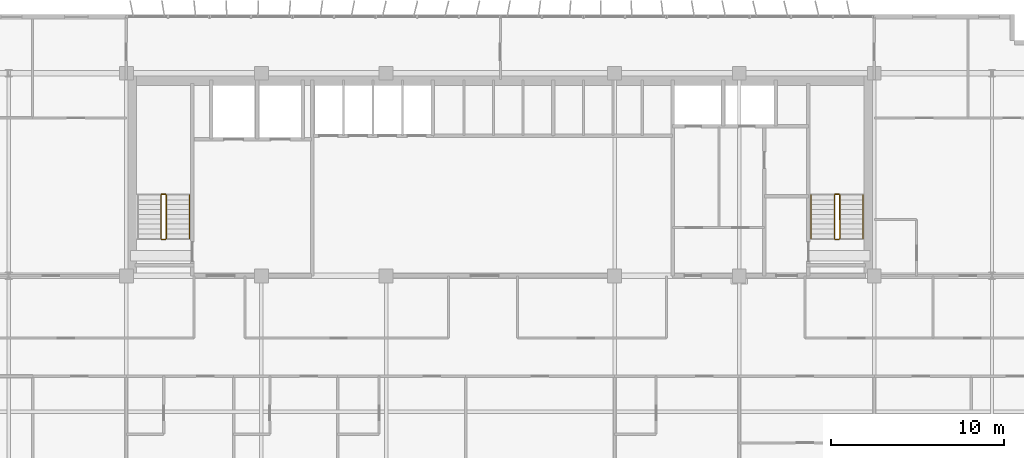
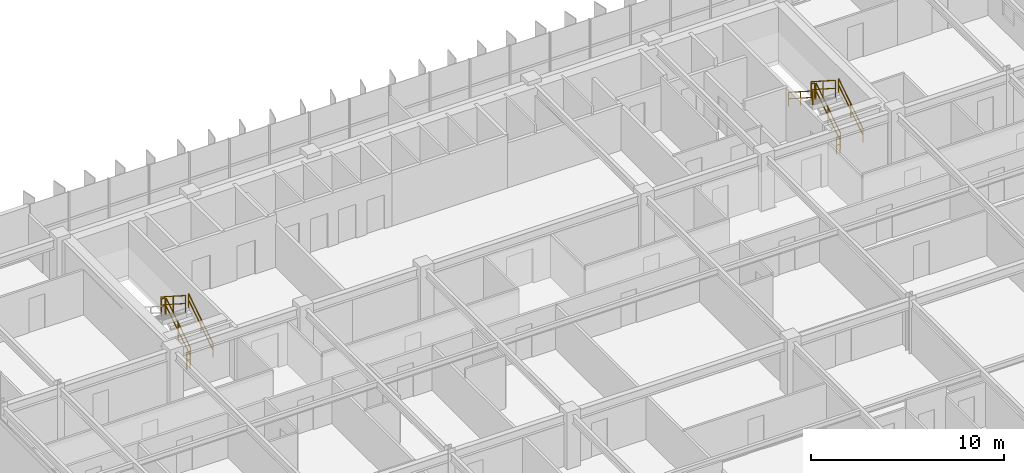
# One storey, part 21 of 22: 11 railings.
"""IFC4 building model written with IfcOpenShell, lengths in metres."""

from ifc_helpers import new_model, si_unit, direction, frame, origin, origin_2d, place, context, subcontext, project, spatial, rectangle, extrude, material, type_object, element, save


model = new_model("IFC4")

# Units and contexts
model_context = context("Model", 3, precision=1e-05, world=origin(), true_north=direction((0.0, 1.0)))
body_context = subcontext(model_context, "Body", "Model", "MODEL_VIEW")
ifc_project = project(units=[si_unit("LENGTHUNIT", "METRE"), si_unit("AREAUNIT", "SQUARE_METRE"), si_unit("VOLUMEUNIT", "CUBIC_METRE"), si_unit("PLANEANGLEUNIT", "RADIAN"), si_unit("MASSUNIT", "GRAM", prefix="KILO")], contexts=[model_context])

# Site, building, storey
site_placement = place(None, origin())
site = spatial("IfcSite", under=ifc_project, at=site_placement, CompositionType="ELEMENT")
building_placement = place(site_placement, origin())
building = spatial("IfcBuilding", under=site, at=building_placement, Name="Trelvane Seafront Commons", CompositionType="ELEMENT")
storey_placement = place(building_placement, frame((0.0, 0.0, 114.10009765625)))
storey = spatial("IfcBuildingStorey", under=building, at=storey_placement, Name="L29", CompositionType="ELEMENT", Elevation=114.10009765625)

# Railings
ifc_material = material(Name="Stainless steel balustrade", Category="steel")
railing_type_1 = type_object("IfcRailingType", Name="ARCH-SRL-GUARD", PredefinedType="GUARDRAIL", material=ifc_material)
railing_1_placement = place(storey_placement, frame((17.89990234375, 35.550048828125, 0.179931640625)))
element("IfcRailing", 1, at=railing_1_placement, inside=storey, type_object=railing_type_1, Name="L29 ST-1 stair guard 1", PredefinedType="GUARDRAIL", context=body_context, shape_type="SweptSolid", body=[
    extrude(rectangle(XDim=0.048095703125, YDim=0.048095703125, at=origin_2d()), frame((0.0, 0.0, 1.076171875), z_axis=(0.0, 0.841199657755, 0.540724639528), x_axis=(-1.0, 0.0, 0.0)), (0.0, 0.0, 1.0), 2.995849609375),
    extrude(rectangle(XDim=0.048095703125, YDim=0.048095703125, at=origin_2d()), frame((0.0, 0.0, 0.572021484375), z_axis=(0.0, 0.841199657755, 0.540724639528), x_axis=(-1.0, 0.0, 0.0)), (0.0, 0.0, 1.0), 2.995849609375),
    extrude(rectangle(XDim=0.0419921875, YDim=0.0419921875, at=origin_2d()), origin(), (0.0, 0.0, 1.0), 1.076171875),
    extrude(rectangle(XDim=0.0419921875, YDim=0.0419921875, at=origin_2d()), frame((0.0, 1.260009765625, 0.81005859375)), (0.0, 0.0, 1.0), 1.076171875),
    extrude(rectangle(XDim=0.0419921875, YDim=0.0419921875, at=origin_2d()), frame((0.0, 2.52001953125, 1.619873046875)), (0.0, 0.0, 1.0), 1.076171875),
])
railing_2_placement = place(storey_placement, frame((17.85009765625, 38.1201171875, 1.7998046875)))
element("IfcRailing", 2, at=railing_2_placement, inside=storey, type_object=railing_type_1, Name="L29 ST-1 stair guard 2", PredefinedType="GUARDRAIL", context=body_context, shape_type="SweptSolid", body=[
    extrude(rectangle(XDim=0.048095703125, YDim=0.048095703125, at=origin_2d()), frame((0.0, 0.0, 1.076171875), z_axis=(-1.0, 0.0, 0.0), x_axis=(0.0, -1.0, 0.0)), (0.0, 0.0, 1.0), 0.2001953125),
    extrude(rectangle(XDim=0.048095703125, YDim=0.048095703125, at=origin_2d()), frame((0.0, 0.0, 0.572021484375), z_axis=(-1.0, 0.0, 0.0), x_axis=(0.0, -1.0, 0.0)), (0.0, 0.0, 1.0), 0.2001953125),
    extrude(rectangle(XDim=0.0419921875, YDim=0.0419921875, at=origin_2d()), origin(), (0.0, 0.0, 1.0), 1.076171875),
    extrude(rectangle(XDim=0.0419921875, YDim=0.0419921875, at=origin_2d()), frame((-0.2001953125, 0.0, 0.0)), (0.0, 0.0, 1.0), 1.076171875),
])
railing_3_placement = place(storey_placement, frame((17.60009765625, 38.070068359375, 1.97998046875)))
element("IfcRailing", 3, at=railing_3_placement, inside=storey, type_object=railing_type_1, Name="L29 ST-1 stair guard 3", PredefinedType="GUARDRAIL", context=body_context, shape_type="SweptSolid", body=[
    extrude(rectangle(XDim=0.048095703125, YDim=0.048095703125, at=origin_2d()), frame((0.0, 0.0, 1.076171875), z_axis=(0.0, -0.841199657755, 0.540724639528), x_axis=(1.0, 0.0, 0.0)), (0.0, 0.0, 1.0), 2.995849609375),
    extrude(rectangle(XDim=0.048095703125, YDim=0.048095703125, at=origin_2d()), frame((0.0, 0.0, 0.572021484375), z_axis=(0.0, -0.841199657755, 0.540724639528), x_axis=(1.0, 0.0, 0.0)), (0.0, 0.0, 1.0), 2.995849609375),
    extrude(rectangle(XDim=0.0419921875, YDim=0.0419921875, at=origin_2d()), origin(), (0.0, 0.0, 1.0), 1.076171875),
    extrude(rectangle(XDim=0.0419921875, YDim=0.0419921875, at=origin_2d()), frame((0.0, -1.260009765625, 0.81005859375)), (0.0, 0.0, 1.0), 1.076171875),
    extrude(rectangle(XDim=0.0419921875, YDim=0.0419921875, at=origin_2d()), frame((0.0, -2.52001953125, 1.619873046875)), (0.0, 0.0, 1.0), 1.076171875),
])
railing_4_placement = place(storey_placement, frame((17.85009765625, 35.5, 0.0)))
element("IfcRailing", 4, at=railing_4_placement, inside=storey, type_object=railing_type_1, Name="L29 ST-1 stair guard 4", PredefinedType="GUARDRAIL", context=body_context, shape_type="SweptSolid", body=[
    extrude(rectangle(XDim=0.048095703125, YDim=0.048095703125, at=origin_2d()), frame((0.0, 0.0, 1.076171875), z_axis=(-1.0, 0.0, 0.0), x_axis=(0.0, -1.0, 0.0)), (0.0, 0.0, 1.0), 0.2001953125),
    extrude(rectangle(XDim=0.048095703125, YDim=0.048095703125, at=origin_2d()), frame((0.0, 0.0, 0.572021484375), z_axis=(-1.0, 0.0, 0.0), x_axis=(0.0, -1.0, 0.0)), (0.0, 0.0, 1.0), 0.2001953125),
    extrude(rectangle(XDim=0.0419921875, YDim=0.0419921875, at=origin_2d()), origin(), (0.0, 0.0, 1.0), 1.076171875),
    extrude(rectangle(XDim=0.0419921875, YDim=0.0419921875, at=origin_2d()), frame((-0.2001953125, 0.0, 0.0)), (0.0, 0.0, 1.0), 1.076171875),
])
railing_5_placement = place(storey_placement, frame((56.800048828125, 35.550048828125, 0.179931640625)))
element("IfcRailing", 5, at=railing_5_placement, inside=storey, type_object=railing_type_1, Name="L29 ST-2 stair guard 1", PredefinedType="GUARDRAIL", context=body_context, shape_type="SweptSolid", body=[
    extrude(rectangle(XDim=0.048095703125, YDim=0.048095703125, at=origin_2d()), frame((0.0, 0.0, 1.076171875), z_axis=(0.0, 0.841199657755, 0.540724639528), x_axis=(-1.0, 0.0, 0.0)), (0.0, 0.0, 1.0), 2.995849609375),
    extrude(rectangle(XDim=0.048095703125, YDim=0.048095703125, at=origin_2d()), frame((0.0, 0.0, 0.572021484375), z_axis=(0.0, 0.841199657755, 0.540724639528), x_axis=(-1.0, 0.0, 0.0)), (0.0, 0.0, 1.0), 2.995849609375),
    extrude(rectangle(XDim=0.0419921875, YDim=0.0419921875, at=origin_2d()), origin(), (0.0, 0.0, 1.0), 1.076171875),
    extrude(rectangle(XDim=0.0419921875, YDim=0.0419921875, at=origin_2d()), frame((0.0, 1.260009765625, 0.81005859375)), (0.0, 0.0, 1.0), 1.076171875),
    extrude(rectangle(XDim=0.0419921875, YDim=0.0419921875, at=origin_2d()), frame((0.0, 2.52001953125, 1.619873046875)), (0.0, 0.0, 1.0), 1.076171875),
])
railing_6_placement = place(storey_placement, frame((56.75, 38.1201171875, 1.7998046875)))
element("IfcRailing", 6, at=railing_6_placement, inside=storey, type_object=railing_type_1, Name="L29 ST-2 stair guard 2", PredefinedType="GUARDRAIL", context=body_context, shape_type="SweptSolid", body=[
    extrude(rectangle(XDim=0.048095703125, YDim=0.048095703125, at=origin_2d()), frame((0.0, 0.0, 1.076171875), z_axis=(-1.0, 0.0, 0.0), x_axis=(0.0, -1.0, 0.0)), (0.0, 0.0, 1.0), 0.199951171875),
    extrude(rectangle(XDim=0.048095703125, YDim=0.048095703125, at=origin_2d()), frame((0.0, 0.0, 0.572021484375), z_axis=(-1.0, 0.0, 0.0), x_axis=(0.0, -1.0, 0.0)), (0.0, 0.0, 1.0), 0.199951171875),
    extrude(rectangle(XDim=0.0419921875, YDim=0.0419921875, at=origin_2d()), origin(), (0.0, 0.0, 1.0), 1.076171875),
    extrude(rectangle(XDim=0.0419921875, YDim=0.0419921875, at=origin_2d()), frame((-0.199951171875, 0.0, 0.0)), (0.0, 0.0, 1.0), 1.076171875),
])
railing_7_placement = place(storey_placement, frame((56.5, 38.070068359375, 1.97998046875)))
element("IfcRailing", 7, at=railing_7_placement, inside=storey, type_object=railing_type_1, Name="L29 ST-2 stair guard 3", PredefinedType="GUARDRAIL", context=body_context, shape_type="SweptSolid", body=[
    extrude(rectangle(XDim=0.048095703125, YDim=0.048095703125, at=origin_2d()), frame((0.0, 0.0, 1.076171875), z_axis=(0.0, -0.841199657755, 0.540724639528), x_axis=(1.0, 0.0, 0.0)), (0.0, 0.0, 1.0), 2.995849609375),
    extrude(rectangle(XDim=0.048095703125, YDim=0.048095703125, at=origin_2d()), frame((0.0, 0.0, 0.572021484375), z_axis=(0.0, -0.841199657755, 0.540724639528), x_axis=(1.0, 0.0, 0.0)), (0.0, 0.0, 1.0), 2.995849609375),
    extrude(rectangle(XDim=0.0419921875, YDim=0.0419921875, at=origin_2d()), origin(), (0.0, 0.0, 1.0), 1.076171875),
    extrude(rectangle(XDim=0.0419921875, YDim=0.0419921875, at=origin_2d()), frame((0.0, -1.260009765625, 0.81005859375)), (0.0, 0.0, 1.0), 1.076171875),
    extrude(rectangle(XDim=0.0419921875, YDim=0.0419921875, at=origin_2d()), frame((0.0, -2.52001953125, 1.619873046875)), (0.0, 0.0, 1.0), 1.076171875),
])
railing_8_placement = place(storey_placement, frame((56.75, 35.5, 0.0)))
element("IfcRailing", 8, at=railing_8_placement, inside=storey, type_object=railing_type_1, Name="L29 ST-2 stair guard 4", PredefinedType="GUARDRAIL", context=body_context, shape_type="SweptSolid", body=[
    extrude(rectangle(XDim=0.048095703125, YDim=0.048095703125, at=origin_2d()), frame((0.0, 0.0, 1.076171875), z_axis=(-1.0, 0.0, 0.0), x_axis=(0.0, -1.0, 0.0)), (0.0, 0.0, 1.0), 0.199951171875),
    extrude(rectangle(XDim=0.048095703125, YDim=0.048095703125, at=origin_2d()), frame((0.0, 0.0, 0.572021484375), z_axis=(-1.0, 0.0, 0.0), x_axis=(0.0, -1.0, 0.0)), (0.0, 0.0, 1.0), 0.199951171875),
    extrude(rectangle(XDim=0.0419921875, YDim=0.0419921875, at=origin_2d()), origin(), (0.0, 0.0, 1.0), 1.076171875),
    extrude(rectangle(XDim=0.0419921875, YDim=0.0419921875, at=origin_2d()), frame((-0.199951171875, 0.0, 0.0)), (0.0, 0.0, 1.0), 1.076171875),
])
railing_type_2 = type_object("IfcRailingType", Name="ARCH-SRL-HAND", PredefinedType="HANDRAIL", material=ifc_material)
for number, where, name in (
    (9, (19.25, 35.550048828125, 0.179931640625), "L29 ST-1 stair handrail 1"),
    (10, (58.14990234375, 35.550048828125, 0.179931640625), "L29 ST-2 stair handrail 1"),
):
    element("IfcRailing", number, at=place(storey_placement, frame(where)), inside=storey, type_object=railing_type_2, Name=name, PredefinedType="HANDRAIL", context=body_context, shape_type="SweptSolid", body=[
        extrude(rectangle(XDim=0.048095703125, YDim=0.048095703125, at=origin_2d()), frame((0.0, 0.0, 0.8759765625), z_axis=(0.0, 0.841199657755, 0.540724639528), x_axis=(-1.0, 0.0, 0.0)), (0.0, 0.0, 1.0), 2.995849609375),
        extrude(rectangle(XDim=0.048095703125, YDim=0.048095703125, at=origin_2d()), frame((0.0, 0.0, 0.468017578125), z_axis=(0.0, 0.841199657755, 0.540724639528), x_axis=(-1.0, 0.0, 0.0)), (0.0, 0.0, 1.0), 2.995849609375),
        extrude(rectangle(XDim=0.0419921875, YDim=0.0419921875, at=origin_2d()), origin(), (0.0, 0.0, 1.0), 0.8759765625),
        extrude(rectangle(XDim=0.0419921875, YDim=0.0419921875, at=origin_2d()), frame((0.0, 1.260009765625, 0.81005859375)), (0.0, 0.0, 1.0), 0.8759765625),
        extrude(rectangle(XDim=0.0419921875, YDim=0.0419921875, at=origin_2d()), frame((0.0, 2.52001953125, 1.619873046875)), (0.0, 0.0, 1.0), 0.8759765625),
    ])
railing_9_placement = place(storey_placement, frame((55.14990234375, 38.070068359375, 1.97998046875)))
element("IfcRailing", 11, at=railing_9_placement, inside=storey, type_object=railing_type_2, Name="L29 ST-2 stair handrail 2", PredefinedType="HANDRAIL", context=body_context, shape_type="SweptSolid", body=[
    extrude(rectangle(XDim=0.048095703125, YDim=0.048095703125, at=origin_2d()), frame((0.0, 0.0, 0.8759765625), z_axis=(0.0, -0.841199657755, 0.540724639528), x_axis=(1.0, 0.0, 0.0)), (0.0, 0.0, 1.0), 2.995849609375),
    extrude(rectangle(XDim=0.048095703125, YDim=0.048095703125, at=origin_2d()), frame((0.0, 0.0, 0.468017578125), z_axis=(0.0, -0.841199657755, 0.540724639528), x_axis=(1.0, 0.0, 0.0)), (0.0, 0.0, 1.0), 2.995849609375),
    extrude(rectangle(XDim=0.0419921875, YDim=0.0419921875, at=origin_2d()), origin(), (0.0, 0.0, 1.0), 0.8759765625),
    extrude(rectangle(XDim=0.0419921875, YDim=0.0419921875, at=origin_2d()), frame((0.0, -1.260009765625, 0.81005859375)), (0.0, 0.0, 1.0), 0.8759765625),
    extrude(rectangle(XDim=0.0419921875, YDim=0.0419921875, at=origin_2d()), frame((0.0, -2.52001953125, 1.619873046875)), (0.0, 0.0, 1.0), 0.8759765625),
])

save(model, "model.ifc")
